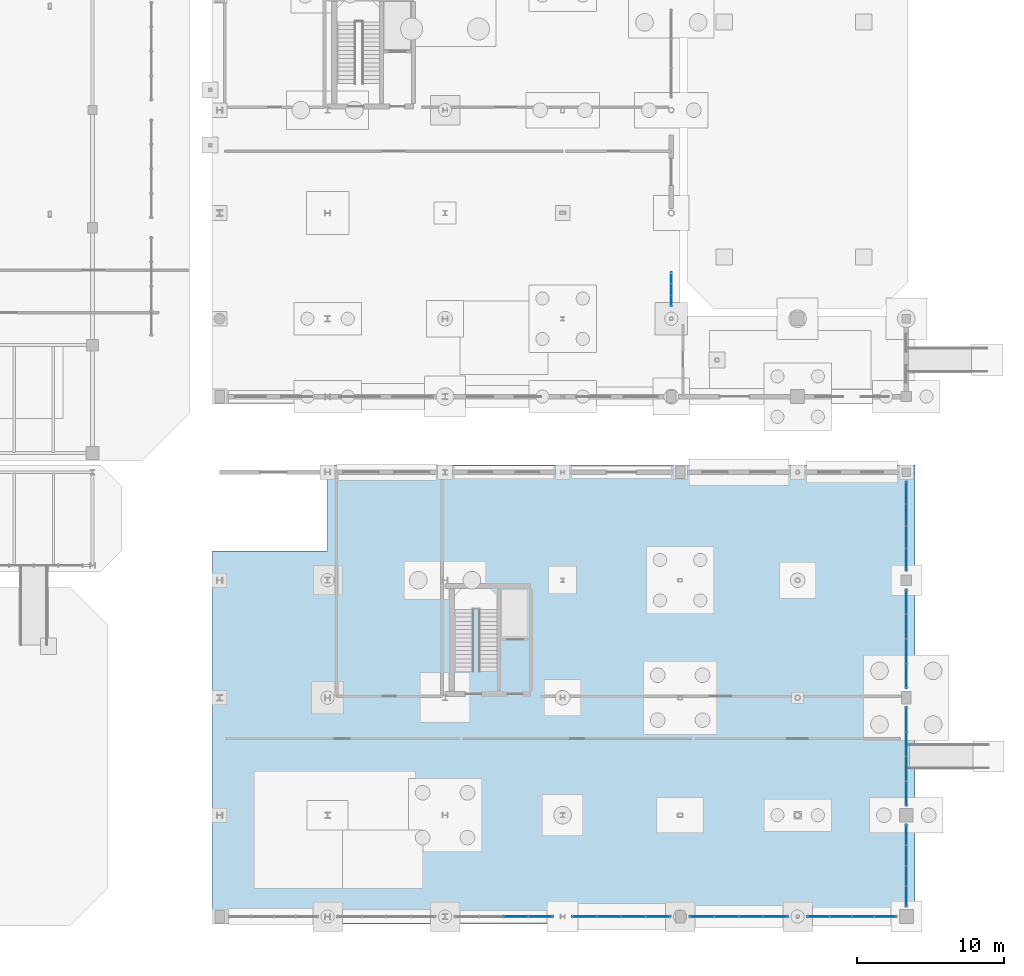
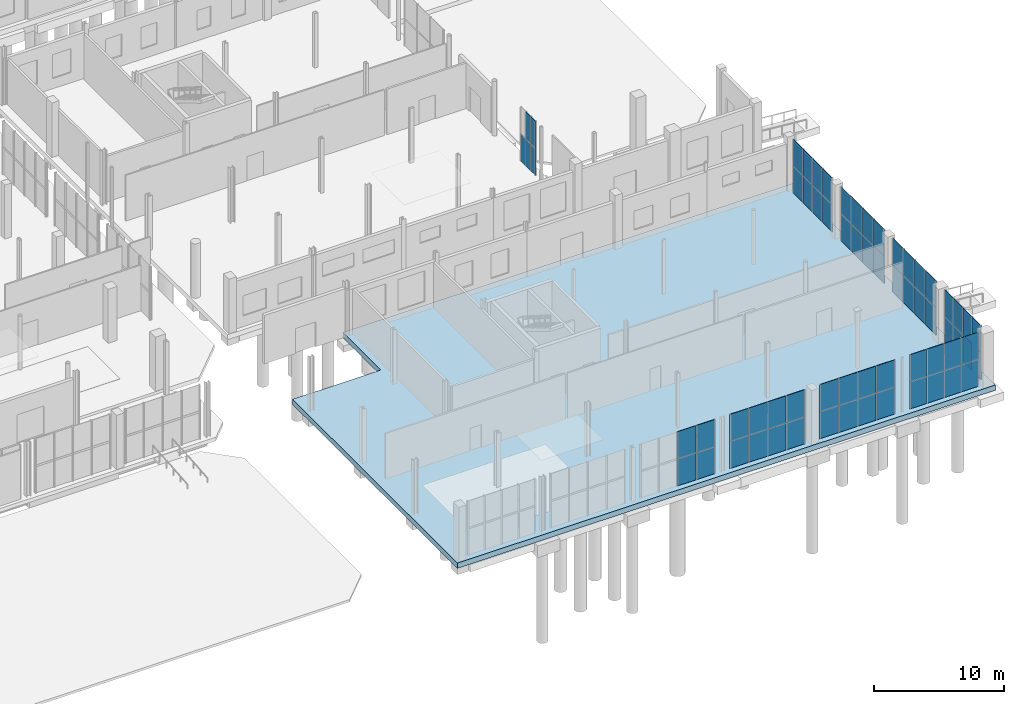
# One storey, part 62 of 87: 65 plates, 1 slab, 9 elements without a shape of their own.
"""IFC4 building model written with IfcOpenShell, lengths in metres."""

import ifcopenshell
import ifcopenshell.guid

model = None  # the IFC model being written
_history = None  # IfcOwnerHistory: only IFC2X3 demands one
_inside = {}  # id of a spatial element -> (the spatial element, [elements in it])
_under = {}  # id of a project, library or spatial element -> (it, [spatial elements below it])
_declared = {}  # id of a project -> (the project, [libraries it declares])
_typed = {}  # id of a type object -> (the type object, [elements of that type])
_made_of = {}  # id of a material, layer set ... -> (it, [elements and type objects made of it])


def new_model(schema):
    """Start an empty IFC model of exactly this schema.

    Asked for "IFC4X3", IfcOpenShell would pick the latest addendum, in which some entities
    have other attributes; the version numbers below select the first issue.
    IFC2X3 requires an IfcOwnerHistory on every rooted entity: one is made here for all.
    """
    global model, _history
    if schema == "IFC4X3":
        model = ifcopenshell.file(schema_version=(4, 3, 0, 0))
    else:
        model = ifcopenshell.file(schema=schema)
    _inside.clear()
    _under.clear()
    _declared.clear()
    _typed.clear()
    _made_of.clear()
    _history = None
    if model.schema == "IFC2X3":
        org = make("IfcOrganization", Name="unknown")
        user = make(
            "IfcPersonAndOrganization",
            ThePerson=make("IfcPerson", FamilyName="unknown"),
            TheOrganization=org,
        )
        app = make(
            "IfcApplication",
            ApplicationDeveloper=org,
            Version="unknown",
            ApplicationFullName="unknown",
            ApplicationIdentifier="unknown",
        )
        _history = make(
            "IfcOwnerHistory",
            OwningUser=user,
            OwningApplication=app,
            ChangeAction="ADDED",
            CreationDate=0,
        )
    return model


def make(cls, **values):
    """One entity of the class cls with the attributes given. An attribute that is None is left unset."""
    return model.create_entity(
        cls, **{name: value for name, value in values.items() if value is not None}
    )


def rooted(cls, **values):
    """An entity with a GlobalId (a new one), such as an element, a storey or a relation."""
    return make(cls, GlobalId=ifcopenshell.guid.new(), OwnerHistory=_history, **values)


def si_unit(unit_type, name, prefix=None):
    """IfcSIUnit, for example si_unit("LENGTHUNIT", "METRE", prefix="MILLI")."""
    return make("IfcSIUnit", UnitType=unit_type, Prefix=prefix, Name=name)


def assignment(units):
    """IfcUnitAssignment: the units of a project."""
    return None if units is None else make("IfcUnitAssignment", Units=units)


def point(xyz):
    """IfcCartesianPoint."""
    return None if xyz is None else make("IfcCartesianPoint", Coordinates=xyz)


def direction(xyz):
    """IfcDirection."""
    return None if xyz is None else make("IfcDirection", DirectionRatios=xyz)


def frame(location, z_axis=None, x_axis=None):
    """IfcAxis2Placement3D, a coordinate frame: its origin and axes. An axis left out is left unset."""
    return make(
        "IfcAxis2Placement3D",
        Location=point(location),
        Axis=direction(z_axis),
        RefDirection=direction(x_axis),
    )


def frame_2d(location, x_axis=None):
    """IfcAxis2Placement2D, a coordinate frame in the plane: its origin and x axis."""
    return make(
        "IfcAxis2Placement2D", Location=point(location), RefDirection=direction(x_axis)
    )


def origin():
    """The frame at (0, 0, 0) with its axes left unset."""
    return frame((0.0, 0.0, 0.0))


def origin_2d():
    """The frame at (0, 0) in the plane with its x axis left unset."""
    return frame_2d((0.0, 0.0))


def place(relative_to, where):
    """IfcLocalPlacement: puts the frame where relative to a parent placement (None: the world)."""
    return make(
        "IfcLocalPlacement", PlacementRelTo=relative_to, RelativePlacement=where
    )


def context(
    kind, dimensions, precision=None, world=None, true_north=None, identifier=None
):
    """IfcGeometricRepresentationContext, for example the 3D "Model" context."""
    return make(
        "IfcGeometricRepresentationContext",
        ContextIdentifier=identifier,
        ContextType=kind,
        CoordinateSpaceDimension=dimensions,
        Precision=precision,
        WorldCoordinateSystem=world,
        TrueNorth=true_north,
    )


def subcontext(parent, identifier, kind, view, scale=None):
    """IfcGeometricRepresentationSubContext, for example "Body" below "Model"."""
    return make(
        "IfcGeometricRepresentationSubContext",
        ContextIdentifier=identifier,
        ContextType=kind,
        ParentContext=parent,
        TargetScale=scale,
        TargetView=view,
    )


def project(units=None, contexts=None):
    """IfcProject with its units and contexts."""
    return rooted(
        "IfcProject",
        Name="project",
        RepresentationContexts=contexts,
        UnitsInContext=assignment(units),
    )


def spatial(cls, under=None, at=None, **own):
    """A site, building, storey or space (cls), placed at a placement, below another one or the project."""
    s = rooted(cls, ObjectPlacement=at, **own)
    if under is not None:
        _under.setdefault(under.id(), (under, []))[1].append(s)
    return s


def polyline(points):
    """IfcPolyline through the points."""
    return make("IfcPolyline", Points=[point(p) for p in points])


def profile(cls, at=None, kind="AREA", **sizes):
    """A parametric profile (cls). Its sizes go by their IFC names, for example OverallWidth=200.0."""
    return make(cls, ProfileType=kind, Position=at, **sizes)


def rectangle(**sizes):
    """IfcRectangleProfileDef."""
    return profile("IfcRectangleProfileDef", **sizes)


def outline(outer, holes=None, kind="AREA"):
    """IfcArbitraryClosedProfileDef: a profile drawn as a closed curve; with holes, ...WithVoids."""
    if holes is None:
        return make("IfcArbitraryClosedProfileDef", ProfileType=kind, OuterCurve=outer)
    return make(
        "IfcArbitraryProfileDefWithVoids",
        ProfileType=kind,
        OuterCurve=outer,
        InnerCurves=holes,
    )


def extrude(swept, where, along, depth):
    """IfcExtrudedAreaSolid: the profile swept, set in the frame where, extruded along a direction by depth."""
    return make(
        "IfcExtrudedAreaSolid",
        SweptArea=swept,
        Position=where,
        ExtrudedDirection=direction(along),
        Depth=depth,
    )


def shape(context_of_items, identifier, shape_type, items):
    """IfcShapeRepresentation: the items that make up one representation, for example the "Body"."""
    return make(
        "IfcShapeRepresentation",
        ContextOfItems=context_of_items,
        RepresentationIdentifier=identifier,
        RepresentationType=shape_type,
        Items=items,
    )


def material(Name=None, Category=None):
    """IfcMaterial."""
    return make("IfcMaterial", Name=Name, Category=Category)


def layer(
    of_material, thickness, ventilated=None, Name=None, Category=None, Priority=None
):
    """IfcMaterialLayer: one layer of a wall or slab, of a material (None: an air gap)."""
    return make(
        "IfcMaterialLayer",
        Material=of_material,
        LayerThickness=thickness,
        IsVentilated=ventilated,
        Name=Name,
        Category=Category,
        Priority=Priority,
    )


def layer_set(layers, Name=None):
    """IfcMaterialLayerSet."""
    return make("IfcMaterialLayerSet", MaterialLayers=layers, LayerSetName=Name)


def made_of(thing, what):
    """Note that an element or type object is made of a material, layer set ...; save() writes the relation."""
    if what is not None:
        _made_of.setdefault(what.id(), (what, []))[1].append(thing)
    return thing


def type_object(cls, material=None, **own):
    """A type object (cls), such as IfcWallType, which elements share."""
    return made_of(rooted(cls, **own), material)


def element(
    cls,
    number,
    at=None,
    inside=None,
    cuts=None,
    type_object=None,
    material=None,
    context=None,
    identifier="Body",
    shape_type=None,
    held_by="IfcProductDefinitionShape",
    body=None,
    shapes=None,
    **own,
):
    """One element of the class cls, such as IfcWall. Its Tag is "e" and its number.

    at: its placement. inside: the storey or other place that contains it. cuts: it is an
    opening in that element (IfcRelVoidsElement). A single representation is given by context,
    identifier, shape_type and body (its items); several are given by shapes. held_by: the class
    of the entity that holds the representations. save() writes the other relations.
    """
    e = rooted(cls, Tag="e%d" % number, ObjectPlacement=at, **own)
    if body is not None:
        shapes = [shape(context, identifier, shape_type, body)]
    if shapes is not None:
        e.Representation = make(held_by, Representations=shapes)
    if inside is not None:
        _inside.setdefault(inside.id(), (inside, []))[1].append(e)
    if cuts is not None:
        rooted(
            "IfcRelVoidsElement", RelatingBuildingElement=cuts, RelatedOpeningElement=e
        )
    if type_object is not None:
        _typed.setdefault(type_object.id(), (type_object, []))[1].append(e)
    return made_of(e, material)


def aggregate(whole, parts):
    """IfcRelAggregates: a whole, such as a stair, and the parts it consists of."""
    return rooted("IfcRelAggregates", RelatingObject=whole, RelatedObjects=parts)


def save(model, path):
    """Write the relations noted so far, then the file.

    IfcRelAggregates (storeys below a building ...), IfcRelContainedInSpatialStructure (elements
    in a storey), IfcRelDefinesByType, IfcRelAssociatesMaterial and IfcRelDeclares: one each for
    every whole, place, type object, material and project.
    """
    for whole, parts in _under.values():
        aggregate(whole, parts)
    for where, things in _inside.values():
        rooted(
            "IfcRelContainedInSpatialStructure",
            RelatedElements=things,
            RelatingStructure=where,
        )
    for kind, things in _typed.values():
        rooted("IfcRelDefinesByType", RelatedObjects=things, RelatingType=kind)
    for what, things in _made_of.values():
        rooted("IfcRelAssociatesMaterial", RelatedObjects=things, RelatingMaterial=what)
    for by, libraries in _declared.values():
        rooted("IfcRelDeclares", RelatingContext=by, RelatedDefinitions=libraries)
    model.write(path)


model = new_model("IFC4")

# Units and contexts
model_context = context("Model", 3, precision=1e-05, world=origin(), true_north=direction((0.0, 1.0)))
body_context = subcontext(model_context, "Body", "Model", "MODEL_VIEW")
ifc_project = project(units=[si_unit("LENGTHUNIT", "METRE"), si_unit("AREAUNIT", "SQUARE_METRE"), si_unit("VOLUMEUNIT", "CUBIC_METRE"), si_unit("PLANEANGLEUNIT", "RADIAN"), si_unit("MASSUNIT", "GRAM", prefix="KILO")], contexts=[model_context])

# Site, building, storey
site_placement = place(None, origin())
site = spatial("IfcSite", under=ifc_project, at=site_placement, CompositionType="ELEMENT")
building_placement = place(site_placement, origin())
building = spatial("IfcBuilding", under=site, at=building_placement, Name="Brisemont Oceanarium", CompositionType="ELEMENT")
storey_placement = place(building_placement, origin())
storey = spatial("IfcBuildingStorey", under=building, at=storey_placement, Name="L00", CompositionType="ELEMENT", Elevation=0.0)

# Curtain wall, plates
ifc_material_1 = material(Name="Anodized Extruded Aluminum 6063-T6", Category="aluminium")
curtain_wall_type_1 = type_object("IfcCurtainWallType", Name="CW-GAL-61X43", PredefinedType="NOTDEFINED", material=ifc_material_1)
curtain_wall_1_placement = place(storey_placement, origin())
curtain_wall_1 = element("IfcCurtainWall", 1, at=curtain_wall_1_placement, inside=storey, type_object=curtain_wall_type_1, Name="CW-13 curtain wall CW-V5E-MC-L00-01", PredefinedType="NOTDEFINED")
ifc_material_2 = material(Name="Ceramic-Fritted Spandrel Glass", Category="glass")
ifc_layer_1 = layer(ifc_material_2, 0.030029296875)
ifc_layer_set_1 = layer_set([ifc_layer_1], Name="Ceramic-Fritted Spandrel Glass")
plate_type_1 = type_object("IfcPlateType", Name="PLT-CWP-S3", PredefinedType="CURTAIN_PANEL", material=ifc_layer_set_1)
plate_1_placement = place(storey_placement, frame((143.39990234375, 43.033203125, 0.00146484375), z_axis=(0.0, 0.0, 1.0), x_axis=(0.0, 1.0, 0.0)))
plate_1 = element("IfcPlate", 2, at=plate_1_placement, type_object=plate_type_1, Name="CW-V5E-MC-L00-01 panel 1.1", PredefinedType="CURTAIN_PANEL", context=body_context, shape_type="SweptSolid", body=[
    extrude(rectangle(XDim=0.763671875, YDim=0.030029296875, at=origin_2d()), origin(), (0.0, 0.0, 1.0), 2.547119140625),
])
plate_2_placement = place(storey_placement, frame((143.39990234375, 43.033203125, 2.55126953125), z_axis=(0.0, 0.0, 1.0), x_axis=(0.0, 1.0, 0.0)))
plate_2 = element("IfcPlate", 3, at=plate_2_placement, type_object=plate_type_1, Name="CW-V5E-MC-L00-01 panel 1.2", PredefinedType="CURTAIN_PANEL", context=body_context, shape_type="SweptSolid", body=[
    extrude(rectangle(XDim=0.763671875, YDim=0.030029296875, at=origin_2d()), origin(), (0.0, 0.0, 1.0), 2.547119140625),
])
plate_3_placement = place(storey_placement, frame((143.39990234375, 43.800048828125, 0.00146484375), z_axis=(0.0, 0.0, 1.0), x_axis=(0.0, 1.0, 0.0)))
plate_3 = element("IfcPlate", 4, at=plate_3_placement, type_object=plate_type_1, Name="CW-V5E-MC-L00-01 panel 2.1", PredefinedType="CURTAIN_PANEL", context=body_context, shape_type="SweptSolid", body=[
    extrude(rectangle(XDim=0.763671875, YDim=0.030029296875, at=origin_2d()), origin(), (0.0, 0.0, 1.0), 2.547119140625),
])
plate_4_placement = place(storey_placement, frame((143.39990234375, 43.800048828125, 2.55126953125), z_axis=(0.0, 0.0, 1.0), x_axis=(0.0, 1.0, 0.0)))
plate_4 = element("IfcPlate", 5, at=plate_4_placement, type_object=plate_type_1, Name="CW-V5E-MC-L00-01 panel 2.2", PredefinedType="CURTAIN_PANEL", context=body_context, shape_type="SweptSolid", body=[
    extrude(rectangle(XDim=0.763671875, YDim=0.030029296875, at=origin_2d()), origin(), (0.0, 0.0, 1.0), 2.547119140625),
])
plate_5_placement = place(storey_placement, frame((143.39990234375, 44.566650390625, 0.00146484375), z_axis=(0.0, 0.0, 1.0), x_axis=(0.0, 1.0, 0.0)))
plate_5 = element("IfcPlate", 6, at=plate_5_placement, type_object=plate_type_1, Name="CW-V5E-MC-L00-01 panel 3.1", PredefinedType="CURTAIN_PANEL", context=body_context, shape_type="SweptSolid", body=[
    extrude(rectangle(XDim=0.763671875, YDim=0.030029296875, at=origin_2d()), origin(), (0.0, 0.0, 1.0), 2.547119140625),
])
aggregate(curtain_wall_1, [plate_1, plate_2, plate_3, plate_4, plate_5])

ifc_material_3 = material(Name="Anodized Extruded Aluminum 6063-T6", Category="aluminium")
curtain_wall_type_2 = type_object("IfcCurtainWallType", Name="CW-EDU-69X45", PredefinedType="NOTDEFINED", material=ifc_material_3)
curtain_wall_2_placement = place(storey_placement, origin())
curtain_wall_2 = element("IfcCurtainWall", 7, at=curtain_wall_2_placement, inside=storey, type_object=curtain_wall_type_2, Name="CW-07 curtain wall CW-V3-S-L00-03", PredefinedType="NOTDEFINED")
ifc_material_4 = material(Name="Insulated Low-E Laminated Glass", Category="glass")
ifc_layer_2 = layer(ifc_material_4, 0.028076171875)
ifc_layer_set_2 = layer_set([ifc_layer_2], Name="Insulated Low-E Laminated Glass")
plate_type_2 = type_object("IfcPlateType", Name="PLT-CWP-V7", PredefinedType="CURTAIN_PANEL", material=ifc_layer_set_2)
plate_6_placement = place(storey_placement, frame((132.83740234375, 1.10009765625, 0.00146484375), z_axis=(0.0, 0.0, 1.0), x_axis=(1.0, 0.0, 0.0)))
plate_6 = element("IfcPlate", 8, at=plate_6_placement, type_object=plate_type_2, Name="CW-V3-S-L00-03 panel 3.1", PredefinedType="CURTAIN_PANEL", context=body_context, shape_type="SweptSolid", body=[
    extrude(rectangle(XDim=1.672119140625, YDim=0.028076171875, at=origin_2d()), origin(), (0.0, 0.0, 1.0), 2.547119140625),
])
plate_7_placement = place(storey_placement, frame((132.83740234375, 1.10009765625, 2.55126953125), z_axis=(0.0, 0.0, 1.0), x_axis=(1.0, 0.0, 0.0)))
plate_7 = element("IfcPlate", 9, at=plate_7_placement, type_object=plate_type_2, Name="CW-V3-S-L00-03 panel 3.2", PredefinedType="CURTAIN_PANEL", context=body_context, shape_type="SweptSolid", body=[
    extrude(rectangle(XDim=1.672119140625, YDim=0.028076171875, at=origin_2d()), origin(), (0.0, 0.0, 1.0), 2.547119140625),
])
plate_8_placement = place(storey_placement, frame((134.512451171875, 1.10009765625, 0.00146484375), z_axis=(0.0, 0.0, 1.0), x_axis=(1.0, 0.0, 0.0)))
plate_8 = element("IfcPlate", 10, at=plate_8_placement, type_object=plate_type_2, Name="CW-V3-S-L00-03 panel 4.1", PredefinedType="CURTAIN_PANEL", context=body_context, shape_type="SweptSolid", body=[
    extrude(rectangle(XDim=1.672119140625, YDim=0.028076171875, at=origin_2d()), origin(), (0.0, 0.0, 1.0), 2.547119140625),
])
plate_9_placement = place(storey_placement, frame((134.512451171875, 1.10009765625, 2.55126953125), z_axis=(0.0, 0.0, 1.0), x_axis=(1.0, 0.0, 0.0)))
plate_9 = element("IfcPlate", 11, at=plate_9_placement, type_object=plate_type_2, Name="CW-V3-S-L00-03 panel 4.2", PredefinedType="CURTAIN_PANEL", context=body_context, shape_type="SweptSolid", body=[
    extrude(rectangle(XDim=1.672119140625, YDim=0.028076171875, at=origin_2d()), origin(), (0.0, 0.0, 1.0), 2.547119140625),
])
aggregate(curtain_wall_2, [plate_6, plate_7, plate_8, plate_9])

curtain_wall_3_placement = place(storey_placement, origin())
curtain_wall_3 = element("IfcCurtainWall", 12, at=curtain_wall_3_placement, inside=storey, type_object=curtain_wall_type_2, Name="CW-07 curtain wall CW-V3-S-L00-04", PredefinedType="NOTDEFINED")
plate_10_placement = place(storey_placement, frame((137.487548828125, 1.10009765625, 0.00146484375), z_axis=(0.0, 0.0, 1.0), x_axis=(1.0, 0.0, 0.0)))
plate_10 = element("IfcPlate", 13, at=plate_10_placement, type_object=plate_type_2, Name="CW-V3-S-L00-04 panel 1.1", PredefinedType="CURTAIN_PANEL", context=body_context, shape_type="SweptSolid", body=[
    extrude(rectangle(XDim=1.672119140625, YDim=0.028076171875, at=origin_2d()), origin(), (0.0, 0.0, 1.0), 2.547119140625),
])
plate_11_placement = place(storey_placement, frame((137.487548828125, 1.10009765625, 2.55126953125), z_axis=(0.0, 0.0, 1.0), x_axis=(1.0, 0.0, 0.0)))
plate_11 = element("IfcPlate", 14, at=plate_11_placement, type_object=plate_type_2, Name="CW-V3-S-L00-04 panel 1.2", PredefinedType="CURTAIN_PANEL", context=body_context, shape_type="SweptSolid", body=[
    extrude(rectangle(XDim=1.672119140625, YDim=0.028076171875, at=origin_2d()), origin(), (0.0, 0.0, 1.0), 2.547119140625),
])
plate_12_placement = place(storey_placement, frame((139.16259765625, 1.10009765625, 0.00146484375), z_axis=(0.0, 0.0, 1.0), x_axis=(1.0, 0.0, 0.0)))
plate_12 = element("IfcPlate", 15, at=plate_12_placement, type_object=plate_type_2, Name="CW-V3-S-L00-04 panel 2.1", PredefinedType="CURTAIN_PANEL", context=body_context, shape_type="SweptSolid", body=[
    extrude(rectangle(XDim=1.672119140625, YDim=0.028076171875, at=origin_2d()), origin(), (0.0, 0.0, 1.0), 2.547119140625),
])
plate_13_placement = place(storey_placement, frame((139.16259765625, 1.10009765625, 2.55126953125), z_axis=(0.0, 0.0, 1.0), x_axis=(1.0, 0.0, 0.0)))
plate_13 = element("IfcPlate", 16, at=plate_13_placement, type_object=plate_type_2, Name="CW-V3-S-L00-04 panel 2.2", PredefinedType="CURTAIN_PANEL", context=body_context, shape_type="SweptSolid", body=[
    extrude(rectangle(XDim=1.672119140625, YDim=0.028076171875, at=origin_2d()), origin(), (0.0, 0.0, 1.0), 2.547119140625),
])
plate_14_placement = place(storey_placement, frame((140.83740234375, 1.10009765625, 0.00146484375), z_axis=(0.0, 0.0, 1.0), x_axis=(1.0, 0.0, 0.0)))
plate_14 = element("IfcPlate", 17, at=plate_14_placement, type_object=plate_type_2, Name="CW-V3-S-L00-04 panel 3.1", PredefinedType="CURTAIN_PANEL", context=body_context, shape_type="SweptSolid", body=[
    extrude(rectangle(XDim=1.672119140625, YDim=0.028076171875, at=origin_2d()), origin(), (0.0, 0.0, 1.0), 2.547119140625),
])
plate_15_placement = place(storey_placement, frame((140.83740234375, 1.10009765625, 2.55126953125), z_axis=(0.0, 0.0, 1.0), x_axis=(1.0, 0.0, 0.0)))
plate_15 = element("IfcPlate", 18, at=plate_15_placement, type_object=plate_type_2, Name="CW-V3-S-L00-04 panel 3.2", PredefinedType="CURTAIN_PANEL", context=body_context, shape_type="SweptSolid", body=[
    extrude(rectangle(XDim=1.672119140625, YDim=0.028076171875, at=origin_2d()), origin(), (0.0, 0.0, 1.0), 2.547119140625),
])
plate_16_placement = place(storey_placement, frame((142.512451171875, 1.10009765625, 0.00146484375), z_axis=(0.0, 0.0, 1.0), x_axis=(1.0, 0.0, 0.0)))
plate_16 = element("IfcPlate", 19, at=plate_16_placement, type_object=plate_type_2, Name="CW-V3-S-L00-04 panel 4.1", PredefinedType="CURTAIN_PANEL", context=body_context, shape_type="SweptSolid", body=[
    extrude(rectangle(XDim=1.672119140625, YDim=0.028076171875, at=origin_2d()), origin(), (0.0, 0.0, 1.0), 2.547119140625),
])
plate_17_placement = place(storey_placement, frame((142.512451171875, 1.10009765625, 2.55126953125), z_axis=(0.0, 0.0, 1.0), x_axis=(1.0, 0.0, 0.0)))
plate_17 = element("IfcPlate", 20, at=plate_17_placement, type_object=plate_type_2, Name="CW-V3-S-L00-04 panel 4.2", PredefinedType="CURTAIN_PANEL", context=body_context, shape_type="SweptSolid", body=[
    extrude(rectangle(XDim=1.672119140625, YDim=0.028076171875, at=origin_2d()), origin(), (0.0, 0.0, 1.0), 2.547119140625),
])
aggregate(curtain_wall_3, [plate_10, plate_11, plate_12, plate_13, plate_14, plate_15, plate_16, plate_17])

curtain_wall_4_placement = place(storey_placement, origin())
curtain_wall_4 = element("IfcCurtainWall", 21, at=curtain_wall_4_placement, inside=storey, type_object=curtain_wall_type_2, Name="CW-07 curtain wall CW-V3-S-L00-05", PredefinedType="NOTDEFINED")
plate_18_placement = place(storey_placement, frame((145.487548828125, 1.10009765625, 0.00146484375), z_axis=(0.0, 0.0, 1.0), x_axis=(1.0, 0.0, 0.0)))
plate_18 = element("IfcPlate", 22, at=plate_18_placement, type_object=plate_type_2, Name="CW-V3-S-L00-05 panel 1.1", PredefinedType="CURTAIN_PANEL", context=body_context, shape_type="SweptSolid", body=[
    extrude(rectangle(XDim=1.672119140625, YDim=0.028076171875, at=origin_2d()), origin(), (0.0, 0.0, 1.0), 2.547119140625),
])
plate_19_placement = place(storey_placement, frame((145.487548828125, 1.10009765625, 2.55126953125), z_axis=(0.0, 0.0, 1.0), x_axis=(1.0, 0.0, 0.0)))
plate_19 = element("IfcPlate", 23, at=plate_19_placement, type_object=plate_type_2, Name="CW-V3-S-L00-05 panel 1.2", PredefinedType="CURTAIN_PANEL", context=body_context, shape_type="SweptSolid", body=[
    extrude(rectangle(XDim=1.672119140625, YDim=0.028076171875, at=origin_2d()), origin(), (0.0, 0.0, 1.0), 2.547119140625),
])
plate_20_placement = place(storey_placement, frame((147.16259765625, 1.10009765625, 0.00146484375), z_axis=(0.0, 0.0, 1.0), x_axis=(1.0, 0.0, 0.0)))
plate_20 = element("IfcPlate", 24, at=plate_20_placement, type_object=plate_type_2, Name="CW-V3-S-L00-05 panel 2.1", PredefinedType="CURTAIN_PANEL", context=body_context, shape_type="SweptSolid", body=[
    extrude(rectangle(XDim=1.672119140625, YDim=0.028076171875, at=origin_2d()), origin(), (0.0, 0.0, 1.0), 2.547119140625),
])
plate_21_placement = place(storey_placement, frame((147.16259765625, 1.10009765625, 2.55126953125), z_axis=(0.0, 0.0, 1.0), x_axis=(1.0, 0.0, 0.0)))
plate_21 = element("IfcPlate", 25, at=plate_21_placement, type_object=plate_type_2, Name="CW-V3-S-L00-05 panel 2.2", PredefinedType="CURTAIN_PANEL", context=body_context, shape_type="SweptSolid", body=[
    extrude(rectangle(XDim=1.672119140625, YDim=0.028076171875, at=origin_2d()), origin(), (0.0, 0.0, 1.0), 2.547119140625),
])
plate_22_placement = place(storey_placement, frame((148.83740234375, 1.10009765625, 0.00146484375), z_axis=(0.0, 0.0, 1.0), x_axis=(1.0, 0.0, 0.0)))
plate_22 = element("IfcPlate", 26, at=plate_22_placement, type_object=plate_type_2, Name="CW-V3-S-L00-05 panel 3.1", PredefinedType="CURTAIN_PANEL", context=body_context, shape_type="SweptSolid", body=[
    extrude(rectangle(XDim=1.672119140625, YDim=0.028076171875, at=origin_2d()), origin(), (0.0, 0.0, 1.0), 2.547119140625),
])
plate_23_placement = place(storey_placement, frame((148.83740234375, 1.10009765625, 2.55126953125), z_axis=(0.0, 0.0, 1.0), x_axis=(1.0, 0.0, 0.0)))
plate_23 = element("IfcPlate", 27, at=plate_23_placement, type_object=plate_type_2, Name="CW-V3-S-L00-05 panel 3.2", PredefinedType="CURTAIN_PANEL", context=body_context, shape_type="SweptSolid", body=[
    extrude(rectangle(XDim=1.672119140625, YDim=0.028076171875, at=origin_2d()), origin(), (0.0, 0.0, 1.0), 2.547119140625),
])
plate_24_placement = place(storey_placement, frame((150.512451171875, 1.10009765625, 0.00146484375), z_axis=(0.0, 0.0, 1.0), x_axis=(1.0, 0.0, 0.0)))
plate_24 = element("IfcPlate", 28, at=plate_24_placement, type_object=plate_type_2, Name="CW-V3-S-L00-05 panel 4.1", PredefinedType="CURTAIN_PANEL", context=body_context, shape_type="SweptSolid", body=[
    extrude(rectangle(XDim=1.672119140625, YDim=0.028076171875, at=origin_2d()), origin(), (0.0, 0.0, 1.0), 2.547119140625),
])
plate_25_placement = place(storey_placement, frame((150.512451171875, 1.10009765625, 2.55126953125), z_axis=(0.0, 0.0, 1.0), x_axis=(1.0, 0.0, 0.0)))
plate_25 = element("IfcPlate", 29, at=plate_25_placement, type_object=plate_type_2, Name="CW-V3-S-L00-05 panel 4.2", PredefinedType="CURTAIN_PANEL", context=body_context, shape_type="SweptSolid", body=[
    extrude(rectangle(XDim=1.672119140625, YDim=0.028076171875, at=origin_2d()), origin(), (0.0, 0.0, 1.0), 2.547119140625),
])
aggregate(curtain_wall_4, [plate_18, plate_19, plate_20, plate_21, plate_22, plate_23, plate_24, plate_25])

curtain_wall_5_placement = place(storey_placement, origin())
curtain_wall_5 = element("IfcCurtainWall", 30, at=curtain_wall_5_placement, inside=storey, type_object=curtain_wall_type_2, Name="CW-07 curtain wall CW-V3-S-L00-06", PredefinedType="NOTDEFINED")
plate_26_placement = place(storey_placement, frame((153.41259765625, 1.10009765625, 0.00146484375), z_axis=(0.0, 0.0, 1.0), x_axis=(1.0, 0.0, 0.0)))
plate_26 = element("IfcPlate", 31, at=plate_26_placement, type_object=plate_type_2, Name="CW-V3-S-L00-06 panel 1.1", PredefinedType="CURTAIN_PANEL", context=body_context, shape_type="SweptSolid", body=[
    extrude(rectangle(XDim=1.52197265625, YDim=0.028076171875, at=origin_2d()), origin(), (0.0, 0.0, 1.0), 2.547119140625),
])
plate_27_placement = place(storey_placement, frame((153.41259765625, 1.10009765625, 2.55126953125), z_axis=(0.0, 0.0, 1.0), x_axis=(1.0, 0.0, 0.0)))
plate_27 = element("IfcPlate", 32, at=plate_27_placement, type_object=plate_type_2, Name="CW-V3-S-L00-06 panel 1.2", PredefinedType="CURTAIN_PANEL", context=body_context, shape_type="SweptSolid", body=[
    extrude(rectangle(XDim=1.52197265625, YDim=0.028076171875, at=origin_2d()), origin(), (0.0, 0.0, 1.0), 2.547119140625),
])
plate_28_placement = place(storey_placement, frame((154.9375, 1.10009765625, 0.00146484375), z_axis=(0.0, 0.0, 1.0), x_axis=(1.0, 0.0, 0.0)))
plate_28 = element("IfcPlate", 33, at=plate_28_placement, type_object=plate_type_2, Name="CW-V3-S-L00-06 panel 2.1", PredefinedType="CURTAIN_PANEL", context=body_context, shape_type="SweptSolid", body=[
    extrude(rectangle(XDim=1.52197265625, YDim=0.028076171875, at=origin_2d()), origin(), (0.0, 0.0, 1.0), 2.547119140625),
])
plate_29_placement = place(storey_placement, frame((154.9375, 1.10009765625, 2.55126953125), z_axis=(0.0, 0.0, 1.0), x_axis=(1.0, 0.0, 0.0)))
plate_29 = element("IfcPlate", 34, at=plate_29_placement, type_object=plate_type_2, Name="CW-V3-S-L00-06 panel 2.2", PredefinedType="CURTAIN_PANEL", context=body_context, shape_type="SweptSolid", body=[
    extrude(rectangle(XDim=1.52197265625, YDim=0.028076171875, at=origin_2d()), origin(), (0.0, 0.0, 1.0), 2.547119140625),
])
plate_30_placement = place(storey_placement, frame((156.46240234375, 1.10009765625, 0.00146484375), z_axis=(0.0, 0.0, 1.0), x_axis=(1.0, 0.0, 0.0)))
plate_30 = element("IfcPlate", 35, at=plate_30_placement, type_object=plate_type_2, Name="CW-V3-S-L00-06 panel 3.1", PredefinedType="CURTAIN_PANEL", context=body_context, shape_type="SweptSolid", body=[
    extrude(rectangle(XDim=1.52197265625, YDim=0.028076171875, at=origin_2d()), origin(), (0.0, 0.0, 1.0), 2.547119140625),
])
plate_31_placement = place(storey_placement, frame((156.46240234375, 1.10009765625, 2.55126953125), z_axis=(0.0, 0.0, 1.0), x_axis=(1.0, 0.0, 0.0)))
plate_31 = element("IfcPlate", 36, at=plate_31_placement, type_object=plate_type_2, Name="CW-V3-S-L00-06 panel 3.2", PredefinedType="CURTAIN_PANEL", context=body_context, shape_type="SweptSolid", body=[
    extrude(rectangle(XDim=1.52197265625, YDim=0.028076171875, at=origin_2d()), origin(), (0.0, 0.0, 1.0), 2.547119140625),
])
plate_32_placement = place(storey_placement, frame((157.987548828125, 1.10009765625, 0.00146484375), z_axis=(0.0, 0.0, 1.0), x_axis=(1.0, 0.0, 0.0)))
plate_32 = element("IfcPlate", 37, at=plate_32_placement, type_object=plate_type_2, Name="CW-V3-S-L00-06 panel 4.1", PredefinedType="CURTAIN_PANEL", context=body_context, shape_type="SweptSolid", body=[
    extrude(rectangle(XDim=1.52197265625, YDim=0.028076171875, at=origin_2d()), origin(), (0.0, 0.0, 1.0), 2.547119140625),
])
plate_33_placement = place(storey_placement, frame((157.987548828125, 1.10009765625, 2.55126953125), z_axis=(0.0, 0.0, 1.0), x_axis=(1.0, 0.0, 0.0)))
plate_33 = element("IfcPlate", 38, at=plate_33_placement, type_object=plate_type_2, Name="CW-V3-S-L00-06 panel 4.2", PredefinedType="CURTAIN_PANEL", context=body_context, shape_type="SweptSolid", body=[
    extrude(rectangle(XDim=1.52197265625, YDim=0.028076171875, at=origin_2d()), origin(), (0.0, 0.0, 1.0), 2.547119140625),
])
aggregate(curtain_wall_5, [plate_26, plate_27, plate_28, plate_29, plate_30, plate_31, plate_32, plate_33])

curtain_wall_6_placement = place(storey_placement, origin())
curtain_wall_6 = element("IfcCurtainWall", 39, at=curtain_wall_6_placement, inside=storey, type_object=curtain_wall_type_2, Name="CW-07 curtain wall CW-V3-E-L00-01", PredefinedType="NOTDEFINED")
plate_34_placement = place(storey_placement, frame((159.39990234375, 2.449951171875, 0.00146484375), z_axis=(0.0, 0.0, 1.0), x_axis=(0.0, 1.0, 0.0)))
plate_34 = element("IfcPlate", 40, at=plate_34_placement, type_object=plate_type_2, Name="CW-V3-E-L00-01 panel 1.1", PredefinedType="CURTAIN_PANEL", context=body_context, shape_type="SweptSolid", body=[
    extrude(rectangle(XDim=1.39697265625, YDim=0.028076171875, at=origin_2d()), origin(), (0.0, 0.0, 1.0), 2.547119140625),
])
plate_35_placement = place(storey_placement, frame((159.39990234375, 2.449951171875, 2.55126953125), z_axis=(0.0, 0.0, 1.0), x_axis=(0.0, 1.0, 0.0)))
plate_35 = element("IfcPlate", 41, at=plate_35_placement, type_object=plate_type_2, Name="CW-V3-E-L00-01 panel 1.2", PredefinedType="CURTAIN_PANEL", context=body_context, shape_type="SweptSolid", body=[
    extrude(rectangle(XDim=1.39697265625, YDim=0.028076171875, at=origin_2d()), origin(), (0.0, 0.0, 1.0), 2.547119140625),
])
plate_36_placement = place(storey_placement, frame((159.39990234375, 3.85009765625, 0.00146484375), z_axis=(0.0, 0.0, 1.0), x_axis=(0.0, 1.0, 0.0)))
plate_36 = element("IfcPlate", 42, at=plate_36_placement, type_object=plate_type_2, Name="CW-V3-E-L00-01 panel 2.1", PredefinedType="CURTAIN_PANEL", context=body_context, shape_type="SweptSolid", body=[
    extrude(rectangle(XDim=1.39697265625, YDim=0.028076171875, at=origin_2d()), origin(), (0.0, 0.0, 1.0), 2.547119140625),
])
plate_37_placement = place(storey_placement, frame((159.39990234375, 3.85009765625, 2.55126953125), z_axis=(0.0, 0.0, 1.0), x_axis=(0.0, 1.0, 0.0)))
plate_37 = element("IfcPlate", 43, at=plate_37_placement, type_object=plate_type_2, Name="CW-V3-E-L00-01 panel 2.2", PredefinedType="CURTAIN_PANEL", context=body_context, shape_type="SweptSolid", body=[
    extrude(rectangle(XDim=1.39697265625, YDim=0.028076171875, at=origin_2d()), origin(), (0.0, 0.0, 1.0), 2.547119140625),
])
plate_38_placement = place(storey_placement, frame((159.39990234375, 5.25, 0.00146484375), z_axis=(0.0, 0.0, 1.0), x_axis=(0.0, 1.0, 0.0)))
plate_38 = element("IfcPlate", 44, at=plate_38_placement, type_object=plate_type_2, Name="CW-V3-E-L00-01 panel 3.1", PredefinedType="CURTAIN_PANEL", context=body_context, shape_type="SweptSolid", body=[
    extrude(rectangle(XDim=1.39697265625, YDim=0.028076171875, at=origin_2d()), origin(), (0.0, 0.0, 1.0), 2.547119140625),
])
plate_39_placement = place(storey_placement, frame((159.39990234375, 5.25, 2.55126953125), z_axis=(0.0, 0.0, 1.0), x_axis=(0.0, 1.0, 0.0)))
plate_39 = element("IfcPlate", 45, at=plate_39_placement, type_object=plate_type_2, Name="CW-V3-E-L00-01 panel 3.2", PredefinedType="CURTAIN_PANEL", context=body_context, shape_type="SweptSolid", body=[
    extrude(rectangle(XDim=1.39697265625, YDim=0.028076171875, at=origin_2d()), origin(), (0.0, 0.0, 1.0), 2.547119140625),
])
plate_40_placement = place(storey_placement, frame((159.39990234375, 6.64990234375, 0.00146484375), z_axis=(0.0, 0.0, 1.0), x_axis=(0.0, 1.0, 0.0)))
plate_40 = element("IfcPlate", 46, at=plate_40_placement, type_object=plate_type_2, Name="CW-V3-E-L00-01 panel 4.1", PredefinedType="CURTAIN_PANEL", context=body_context, shape_type="SweptSolid", body=[
    extrude(rectangle(XDim=1.39697265625, YDim=0.028076171875, at=origin_2d()), origin(), (0.0, 0.0, 1.0), 2.547119140625),
])
plate_41_placement = place(storey_placement, frame((159.39990234375, 6.64990234375, 2.55126953125), z_axis=(0.0, 0.0, 1.0), x_axis=(0.0, 1.0, 0.0)))
plate_41 = element("IfcPlate", 47, at=plate_41_placement, type_object=plate_type_2, Name="CW-V3-E-L00-01 panel 4.2", PredefinedType="CURTAIN_PANEL", context=body_context, shape_type="SweptSolid", body=[
    extrude(rectangle(XDim=1.39697265625, YDim=0.028076171875, at=origin_2d()), origin(), (0.0, 0.0, 1.0), 2.547119140625),
])
aggregate(curtain_wall_6, [plate_34, plate_35, plate_36, plate_37, plate_38, plate_39, plate_40, plate_41])

curtain_wall_7_placement = place(storey_placement, origin())
curtain_wall_7 = element("IfcCurtainWall", 48, at=curtain_wall_7_placement, inside=storey, type_object=curtain_wall_type_2, Name="CW-07 curtain wall CW-V3-E-L00-02", PredefinedType="NOTDEFINED")
plate_42_placement = place(storey_placement, frame((159.39990234375, 9.487548828125, 0.00146484375), z_axis=(0.0, 0.0, 1.0), x_axis=(0.0, 1.0, 0.0)))
plate_42 = element("IfcPlate", 49, at=plate_42_placement, type_object=plate_type_2, Name="CW-V3-E-L00-02 panel 1.1", PredefinedType="CURTAIN_PANEL", context=body_context, shape_type="SweptSolid", body=[
    extrude(rectangle(XDim=1.672119140625, YDim=0.028076171875, at=origin_2d()), origin(), (0.0, 0.0, 1.0), 2.547119140625),
])
plate_43_placement = place(storey_placement, frame((159.39990234375, 9.487548828125, 2.55126953125), z_axis=(0.0, 0.0, 1.0), x_axis=(0.0, 1.0, 0.0)))
plate_43 = element("IfcPlate", 50, at=plate_43_placement, type_object=plate_type_2, Name="CW-V3-E-L00-02 panel 1.2", PredefinedType="CURTAIN_PANEL", context=body_context, shape_type="SweptSolid", body=[
    extrude(rectangle(XDim=1.672119140625, YDim=0.028076171875, at=origin_2d()), origin(), (0.0, 0.0, 1.0), 2.547119140625),
])
plate_44_placement = place(storey_placement, frame((159.39990234375, 11.16259765625, 0.00146484375), z_axis=(0.0, 0.0, 1.0), x_axis=(0.0, 1.0, 0.0)))
plate_44 = element("IfcPlate", 51, at=plate_44_placement, type_object=plate_type_2, Name="CW-V3-E-L00-02 panel 2.1", PredefinedType="CURTAIN_PANEL", context=body_context, shape_type="SweptSolid", body=[
    extrude(rectangle(XDim=1.672119140625, YDim=0.028076171875, at=origin_2d()), origin(), (0.0, 0.0, 1.0), 2.547119140625),
])
plate_45_placement = place(storey_placement, frame((159.39990234375, 11.16259765625, 2.55126953125), z_axis=(0.0, 0.0, 1.0), x_axis=(0.0, 1.0, 0.0)))
plate_45 = element("IfcPlate", 52, at=plate_45_placement, type_object=plate_type_2, Name="CW-V3-E-L00-02 panel 2.2", PredefinedType="CURTAIN_PANEL", context=body_context, shape_type="SweptSolid", body=[
    extrude(rectangle(XDim=1.672119140625, YDim=0.028076171875, at=origin_2d()), origin(), (0.0, 0.0, 1.0), 2.547119140625),
])
plate_46_placement = place(storey_placement, frame((159.39990234375, 12.83740234375, 0.00146484375), z_axis=(0.0, 0.0, 1.0), x_axis=(0.0, 1.0, 0.0)))
plate_46 = element("IfcPlate", 53, at=plate_46_placement, type_object=plate_type_2, Name="CW-V3-E-L00-02 panel 3.1", PredefinedType="CURTAIN_PANEL", context=body_context, shape_type="SweptSolid", body=[
    extrude(rectangle(XDim=1.672119140625, YDim=0.028076171875, at=origin_2d()), origin(), (0.0, 0.0, 1.0), 2.547119140625),
])
plate_47_placement = place(storey_placement, frame((159.39990234375, 12.83740234375, 2.55126953125), z_axis=(0.0, 0.0, 1.0), x_axis=(0.0, 1.0, 0.0)))
plate_47 = element("IfcPlate", 54, at=plate_47_placement, type_object=plate_type_2, Name="CW-V3-E-L00-02 panel 3.2", PredefinedType="CURTAIN_PANEL", context=body_context, shape_type="SweptSolid", body=[
    extrude(rectangle(XDim=1.672119140625, YDim=0.028076171875, at=origin_2d()), origin(), (0.0, 0.0, 1.0), 2.547119140625),
])
plate_48_placement = place(storey_placement, frame((159.39990234375, 14.512451171875, 0.00146484375), z_axis=(0.0, 0.0, 1.0), x_axis=(0.0, 1.0, 0.0)))
plate_48 = element("IfcPlate", 55, at=plate_48_placement, type_object=plate_type_2, Name="CW-V3-E-L00-02 panel 4.1", PredefinedType="CURTAIN_PANEL", context=body_context, shape_type="SweptSolid", body=[
    extrude(rectangle(XDim=1.672119140625, YDim=0.028076171875, at=origin_2d()), origin(), (0.0, 0.0, 1.0), 2.547119140625),
])
plate_49_placement = place(storey_placement, frame((159.39990234375, 14.512451171875, 2.55126953125), z_axis=(0.0, 0.0, 1.0), x_axis=(0.0, 1.0, 0.0)))
plate_49 = element("IfcPlate", 56, at=plate_49_placement, type_object=plate_type_2, Name="CW-V3-E-L00-02 panel 4.2", PredefinedType="CURTAIN_PANEL", context=body_context, shape_type="SweptSolid", body=[
    extrude(rectangle(XDim=1.672119140625, YDim=0.028076171875, at=origin_2d()), origin(), (0.0, 0.0, 1.0), 2.547119140625),
])
aggregate(curtain_wall_7, [plate_42, plate_43, plate_44, plate_45, plate_46, plate_47, plate_48, plate_49])

curtain_wall_8_placement = place(storey_placement, origin())
curtain_wall_8 = element("IfcCurtainWall", 57, at=curtain_wall_8_placement, inside=storey, type_object=curtain_wall_type_2, Name="CW-07 curtain wall CW-V3-E-L00-03", PredefinedType="NOTDEFINED")
plate_50_placement = place(storey_placement, frame((159.39990234375, 17.487548828125, 0.00146484375), z_axis=(0.0, 0.0, 1.0), x_axis=(0.0, 1.0, 0.0)))
plate_50 = element("IfcPlate", 58, at=plate_50_placement, type_object=plate_type_2, Name="CW-V3-E-L00-03 panel 1.1", PredefinedType="CURTAIN_PANEL", context=body_context, shape_type="SweptSolid", body=[
    extrude(rectangle(XDim=1.672119140625, YDim=0.028076171875, at=origin_2d()), origin(), (0.0, 0.0, 1.0), 2.547119140625),
])
plate_51_placement = place(storey_placement, frame((159.39990234375, 17.487548828125, 2.55126953125), z_axis=(0.0, 0.0, 1.0), x_axis=(0.0, 1.0, 0.0)))
plate_51 = element("IfcPlate", 59, at=plate_51_placement, type_object=plate_type_2, Name="CW-V3-E-L00-03 panel 1.2", PredefinedType="CURTAIN_PANEL", context=body_context, shape_type="SweptSolid", body=[
    extrude(rectangle(XDim=1.672119140625, YDim=0.028076171875, at=origin_2d()), origin(), (0.0, 0.0, 1.0), 2.547119140625),
])
plate_52_placement = place(storey_placement, frame((159.39990234375, 19.16259765625, 0.00146484375), z_axis=(0.0, 0.0, 1.0), x_axis=(0.0, 1.0, 0.0)))
plate_52 = element("IfcPlate", 60, at=plate_52_placement, type_object=plate_type_2, Name="CW-V3-E-L00-03 panel 2.1", PredefinedType="CURTAIN_PANEL", context=body_context, shape_type="SweptSolid", body=[
    extrude(rectangle(XDim=1.672119140625, YDim=0.028076171875, at=origin_2d()), origin(), (0.0, 0.0, 1.0), 2.547119140625),
])
plate_53_placement = place(storey_placement, frame((159.39990234375, 19.16259765625, 2.55126953125), z_axis=(0.0, 0.0, 1.0), x_axis=(0.0, 1.0, 0.0)))
plate_53 = element("IfcPlate", 61, at=plate_53_placement, type_object=plate_type_2, Name="CW-V3-E-L00-03 panel 2.2", PredefinedType="CURTAIN_PANEL", context=body_context, shape_type="SweptSolid", body=[
    extrude(rectangle(XDim=1.672119140625, YDim=0.028076171875, at=origin_2d()), origin(), (0.0, 0.0, 1.0), 2.547119140625),
])
plate_54_placement = place(storey_placement, frame((159.39990234375, 20.83740234375, 0.00146484375), z_axis=(0.0, 0.0, 1.0), x_axis=(0.0, 1.0, 0.0)))
plate_54 = element("IfcPlate", 62, at=plate_54_placement, type_object=plate_type_2, Name="CW-V3-E-L00-03 panel 3.1", PredefinedType="CURTAIN_PANEL", context=body_context, shape_type="SweptSolid", body=[
    extrude(rectangle(XDim=1.672119140625, YDim=0.028076171875, at=origin_2d()), origin(), (0.0, 0.0, 1.0), 2.547119140625),
])
plate_55_placement = place(storey_placement, frame((159.39990234375, 20.83740234375, 2.55126953125), z_axis=(0.0, 0.0, 1.0), x_axis=(0.0, 1.0, 0.0)))
plate_55 = element("IfcPlate", 63, at=plate_55_placement, type_object=plate_type_2, Name="CW-V3-E-L00-03 panel 3.2", PredefinedType="CURTAIN_PANEL", context=body_context, shape_type="SweptSolid", body=[
    extrude(rectangle(XDim=1.672119140625, YDim=0.028076171875, at=origin_2d()), origin(), (0.0, 0.0, 1.0), 2.547119140625),
])
plate_56_placement = place(storey_placement, frame((159.39990234375, 22.512451171875, 0.00146484375), z_axis=(0.0, 0.0, 1.0), x_axis=(0.0, 1.0, 0.0)))
plate_56 = element("IfcPlate", 64, at=plate_56_placement, type_object=plate_type_2, Name="CW-V3-E-L00-03 panel 4.1", PredefinedType="CURTAIN_PANEL", context=body_context, shape_type="SweptSolid", body=[
    extrude(rectangle(XDim=1.672119140625, YDim=0.028076171875, at=origin_2d()), origin(), (0.0, 0.0, 1.0), 2.547119140625),
])
plate_57_placement = place(storey_placement, frame((159.39990234375, 22.512451171875, 2.55126953125), z_axis=(0.0, 0.0, 1.0), x_axis=(0.0, 1.0, 0.0)))
plate_57 = element("IfcPlate", 65, at=plate_57_placement, type_object=plate_type_2, Name="CW-V3-E-L00-03 panel 4.2", PredefinedType="CURTAIN_PANEL", context=body_context, shape_type="SweptSolid", body=[
    extrude(rectangle(XDim=1.672119140625, YDim=0.028076171875, at=origin_2d()), origin(), (0.0, 0.0, 1.0), 2.547119140625),
])
aggregate(curtain_wall_8, [plate_50, plate_51, plate_52, plate_53, plate_54, plate_55, plate_56, plate_57])

curtain_wall_9_placement = place(storey_placement, origin())
curtain_wall_9 = element("IfcCurtainWall", 66, at=curtain_wall_9_placement, inside=storey, type_object=curtain_wall_type_2, Name="CW-07 curtain wall CW-V3-E-L00-04", PredefinedType="NOTDEFINED")
plate_58_placement = place(storey_placement, frame((159.39990234375, 25.40625, 0.00146484375), z_axis=(0.0, 0.0, 1.0), x_axis=(0.0, 1.0, 0.0)))
plate_58 = element("IfcPlate", 67, at=plate_58_placement, type_object=plate_type_2, Name="CW-V3-E-L00-04 panel 1.1", PredefinedType="CURTAIN_PANEL", context=body_context, shape_type="SweptSolid", body=[
    extrude(rectangle(XDim=1.509521484375, YDim=0.028076171875, at=origin_2d()), origin(), (0.0, 0.0, 1.0), 2.547119140625),
])
plate_59_placement = place(storey_placement, frame((159.39990234375, 25.40625, 2.55126953125), z_axis=(0.0, 0.0, 1.0), x_axis=(0.0, 1.0, 0.0)))
plate_59 = element("IfcPlate", 68, at=plate_59_placement, type_object=plate_type_2, Name="CW-V3-E-L00-04 panel 1.2", PredefinedType="CURTAIN_PANEL", context=body_context, shape_type="SweptSolid", body=[
    extrude(rectangle(XDim=1.509521484375, YDim=0.028076171875, at=origin_2d()), origin(), (0.0, 0.0, 1.0), 2.547119140625),
])
plate_60_placement = place(storey_placement, frame((159.39990234375, 26.918701171875, 0.00146484375), z_axis=(0.0, 0.0, 1.0), x_axis=(0.0, 1.0, 0.0)))
plate_60 = element("IfcPlate", 69, at=plate_60_placement, type_object=plate_type_2, Name="CW-V3-E-L00-04 panel 2.1", PredefinedType="CURTAIN_PANEL", context=body_context, shape_type="SweptSolid", body=[
    extrude(rectangle(XDim=1.509521484375, YDim=0.028076171875, at=origin_2d()), origin(), (0.0, 0.0, 1.0), 2.547119140625),
])
plate_61_placement = place(storey_placement, frame((159.39990234375, 26.918701171875, 2.55126953125), z_axis=(0.0, 0.0, 1.0), x_axis=(0.0, 1.0, 0.0)))
plate_61 = element("IfcPlate", 70, at=plate_61_placement, type_object=plate_type_2, Name="CW-V3-E-L00-04 panel 2.2", PredefinedType="CURTAIN_PANEL", context=body_context, shape_type="SweptSolid", body=[
    extrude(rectangle(XDim=1.509521484375, YDim=0.028076171875, at=origin_2d()), origin(), (0.0, 0.0, 1.0), 2.547119140625),
])
plate_62_placement = place(storey_placement, frame((159.39990234375, 28.43115234375, 0.00146484375), z_axis=(0.0, 0.0, 1.0), x_axis=(0.0, 1.0, 0.0)))
plate_62 = element("IfcPlate", 71, at=plate_62_placement, type_object=plate_type_2, Name="CW-V3-E-L00-04 panel 3.1", PredefinedType="CURTAIN_PANEL", context=body_context, shape_type="SweptSolid", body=[
    extrude(rectangle(XDim=1.509521484375, YDim=0.028076171875, at=origin_2d()), origin(), (0.0, 0.0, 1.0), 2.547119140625),
])
plate_63_placement = place(storey_placement, frame((159.39990234375, 28.43115234375, 2.55126953125), z_axis=(0.0, 0.0, 1.0), x_axis=(0.0, 1.0, 0.0)))
plate_63 = element("IfcPlate", 72, at=plate_63_placement, type_object=plate_type_2, Name="CW-V3-E-L00-04 panel 3.2", PredefinedType="CURTAIN_PANEL", context=body_context, shape_type="SweptSolid", body=[
    extrude(rectangle(XDim=1.509521484375, YDim=0.028076171875, at=origin_2d()), origin(), (0.0, 0.0, 1.0), 2.547119140625),
])
plate_64_placement = place(storey_placement, frame((159.39990234375, 29.94384765625, 0.00146484375), z_axis=(0.0, 0.0, 1.0), x_axis=(0.0, 1.0, 0.0)))
plate_64 = element("IfcPlate", 73, at=plate_64_placement, type_object=plate_type_2, Name="CW-V3-E-L00-04 panel 4.1", PredefinedType="CURTAIN_PANEL", context=body_context, shape_type="SweptSolid", body=[
    extrude(rectangle(XDim=1.509521484375, YDim=0.028076171875, at=origin_2d()), origin(), (0.0, 0.0, 1.0), 2.547119140625),
])
plate_65_placement = place(storey_placement, frame((159.39990234375, 29.94384765625, 2.55126953125), z_axis=(0.0, 0.0, 1.0), x_axis=(0.0, 1.0, 0.0)))
plate_65 = element("IfcPlate", 74, at=plate_65_placement, type_object=plate_type_2, Name="CW-V3-E-L00-04 panel 4.2", PredefinedType="CURTAIN_PANEL", context=body_context, shape_type="SweptSolid", body=[
    extrude(rectangle(XDim=1.509521484375, YDim=0.028076171875, at=origin_2d()), origin(), (0.0, 0.0, 1.0), 2.547119140625),
])
aggregate(curtain_wall_9, [plate_58, plate_59, plate_60, plate_61, plate_62, plate_63, plate_64, plate_65])

# Slab
ifc_material_5 = material(Name="Concrete C40/50", Category="concrete")
ifc_layer_3 = layer(ifc_material_5, 0.5)
ifc_layer_set_3 = layer_set([ifc_layer_3], Name="Concrete C40/50")
slab_type = type_object("IfcSlabType", Name="SLB-BASE-500", PredefinedType="BASESLAB", material=ifc_layer_set_3)
slab_placement = place(storey_placement, frame((0.0, 0.0, -0.5)))
element("IfcSlab", 75, at=slab_placement, inside=storey, type_object=slab_type, Name="V3 L00 baseslab slab", PredefinedType="BASESLAB", context=body_context, shape_type="SweptSolid", body=[
    extrude(outline(polyline([(112.14990234375, 0.60009765625), (160.0, 0.60009765625), (160.0, 31.85009765625), (120.0, 31.85009765625), (120.0, 26.0), (112.14990234375, 26.0), (112.14990234375, 0.60009765625)])), origin(), (0.0, 0.0, 1.0), 0.5),
])

save(model, "model.ifc")
